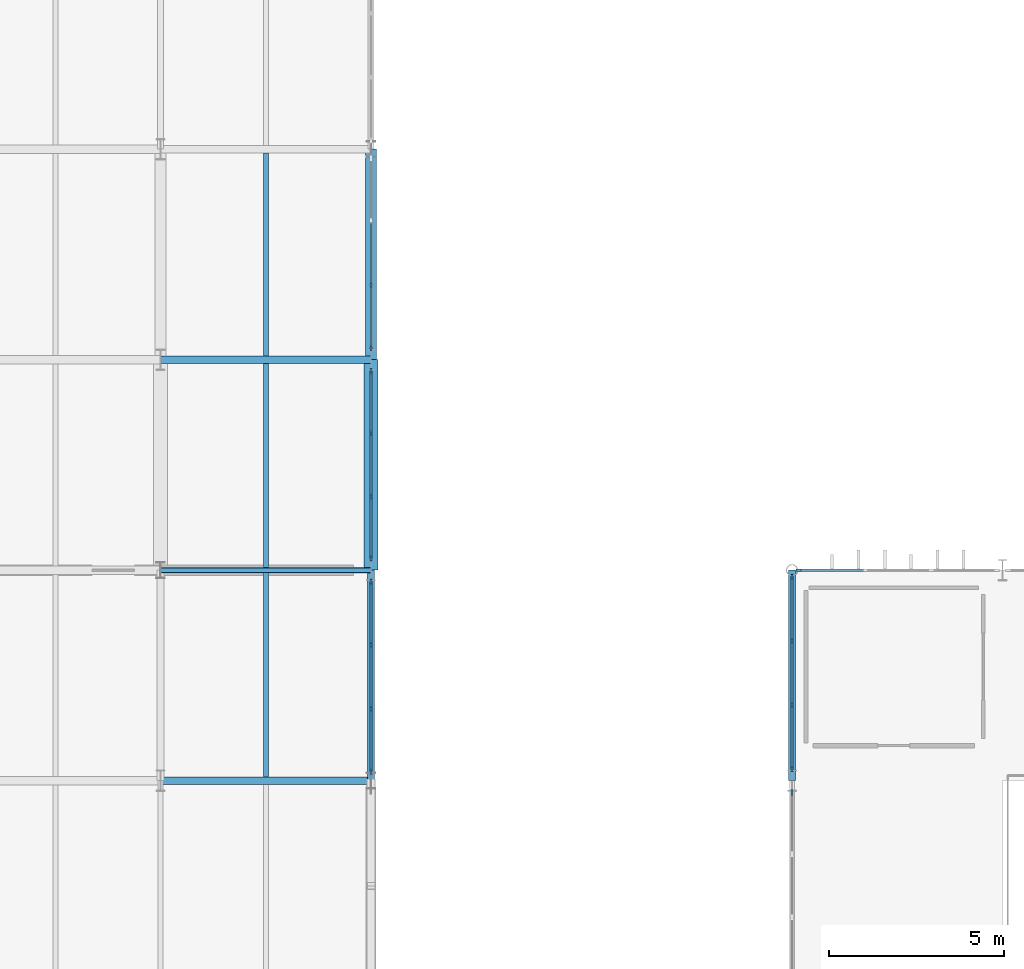
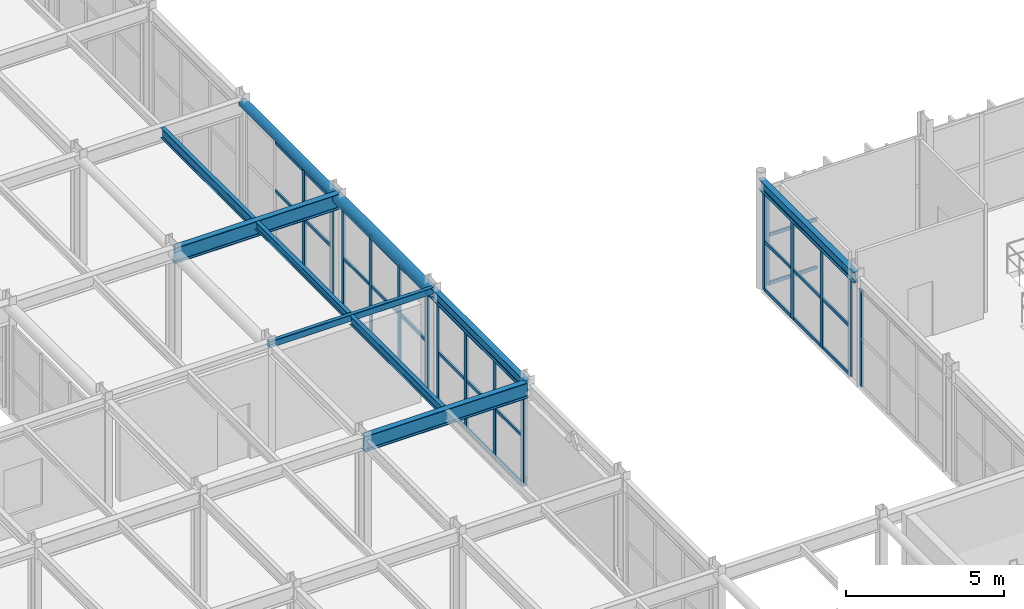
# One storey, part 32 of 96: 51 members, 10 beams, 6 elements without a shape of their own.
"""IFC4 building model written with IfcOpenShell, lengths in metres."""

from ifc_helpers import new_model, si_unit, direction, frame, origin, origin_2d, place, context, subcontext, project, spatial, rectangle, hollow_rectangle, hollow_circle, i_section, extrude, material, material_profile, profile_set, type_object, element, aggregate, save


model = new_model("IFC4")

# Units and contexts
model_context = context("Model", 3, precision=1e-05, world=origin(), true_north=direction((0.0, 1.0)))
body_context = subcontext(model_context, "Body", "Model", "MODEL_VIEW")
ifc_project = project(units=[si_unit("LENGTHUNIT", "METRE"), si_unit("AREAUNIT", "SQUARE_METRE"), si_unit("VOLUMEUNIT", "CUBIC_METRE"), si_unit("PLANEANGLEUNIT", "RADIAN"), si_unit("MASSUNIT", "GRAM", prefix="KILO")], contexts=[model_context])

# Site, building, storey
site_placement = place(None, origin())
site = spatial("IfcSite", under=ifc_project, at=site_placement, CompositionType="ELEMENT")
building_placement = place(site_placement, origin())
building = spatial("IfcBuilding", under=site, at=building_placement, Name="Varnakota Square Police Headquarters", CompositionType="ELEMENT")
storey_placement = place(building_placement, frame((0.0, 0.0, 4.800048828125)))
storey = spatial("IfcBuildingStorey", under=building, at=storey_placement, Name="L01", CompositionType="ELEMENT", Elevation=4.800048828125)

# Beams
ifc_material_1 = material(Name="Steel IS 2062 Grade 350", Category="steel")
ifc_material_profile_1 = material_profile(ifc_material_1, hollow_circle(Radius=0.161865234375, WallThickness=0.0126953125, at=origin_2d()), Name="CHS 323.9x12.7")
ifc_profile_set_1 = profile_set([ifc_material_profile_1], Name="Steel IS 2062 Grade 350")
beam_type_1 = type_object("IfcBeamType", Name="BM-ARC-CHS324", PredefinedType="BEAM", material=ifc_profile_set_1)
beam_1_placement = place(storey_placement, frame((42.0, 45.0, 4.0380859375), z_axis=(0.0, 1.0, 0.0), x_axis=(-1.0, 0.0, 0.0)))
element("IfcBeam", 1, at=beam_1_placement, inside=storey, type_object=beam_type_1, Name="BMG-L01-1620", PredefinedType="BEAM", context=body_context, shape_type="SweptSolid", body=[
    extrude(hollow_circle(Radius=0.161865234375, WallThickness=0.0126953125, at=origin_2d()), origin(), (0.0, 0.0, 1.0), 6.0),
])
ifc_material_profile_2 = material_profile(ifc_material_1, hollow_circle(Radius=0.203125, WallThickness=0.01611328125, at=origin_2d()), Name="CHS 406.4x16.0")
ifc_profile_set_2 = profile_set([ifc_material_profile_2], Name="Steel IS 2062 Grade 350")
beam_type_2 = type_object("IfcBeamType", Name="BM-ARC-CHS406", PredefinedType="BEAM", material=ifc_profile_set_2)
beam_2_placement = place(storey_placement, frame((42.0, 39.0, 3.996826171875), z_axis=(0.0, 1.0, 0.0), x_axis=(-1.0, 0.0, 0.0)))
element("IfcBeam", 2, at=beam_2_placement, inside=storey, type_object=beam_type_2, Name="BMG-L01-1619", PredefinedType="BEAM", context=body_context, shape_type="SweptSolid", body=[
    extrude(hollow_circle(Radius=0.203125, WallThickness=0.01611328125, at=origin_2d()), origin(), (0.0, 0.0, 1.0), 6.0),
])
ifc_material_profile_3 = material_profile(ifc_material_1, hollow_rectangle(XDim=0.14990234375, YDim=0.25, WallThickness=0.010009765625, InnerFilletRadius=0.010009765625, OuterFilletRadius=0.02001953125, at=origin_2d()), Name="RHS 250x150x10")
ifc_profile_set_3 = profile_set([ifc_material_profile_3], Name="Steel IS 2062 Grade 350")
beam_type_3 = type_object("IfcBeamType", Name="BM-CBEAM-RHS250", PredefinedType="BEAM", material=ifc_profile_set_3)
beam_3_placement = place(storey_placement, frame((36.0, 39.0, 4.074951171875), z_axis=(1.0, 0.0, 0.0), x_axis=(0.0, 1.0, 0.0)))
element("IfcBeam", 3, at=beam_3_placement, inside=storey, type_object=beam_type_3, Name="BMG-L01-1388", PredefinedType="BEAM", context=body_context, shape_type="SweptSolid", body=[
    extrude(hollow_rectangle(XDim=0.14990234375, YDim=0.25, WallThickness=0.010009765625, InnerFilletRadius=0.010009765625, OuterFilletRadius=0.02001953125, at=origin_2d()), origin(), (0.0, 0.0, 1.0), 6.0),
])
ifc_material_profile_4 = material_profile(ifc_material_1, i_section(OverallWidth=0.139892578125, OverallDepth=0.300048828125, WebThickness=0.0078125, FlangeThickness=0.01318359375, FilletRadius=0.013916015625, at=origin_2d()), Name="ISMB 300")
ifc_profile_set_4 = profile_set([ifc_material_profile_4], Name="Steel IS 2062 Grade 350")
beam_type_4 = type_object("IfcBeamType", Name="BM-ISMB300", PredefinedType="JOIST", material=ifc_profile_set_4)
beam_4_placement = place(storey_placement, frame((39.0, 39.072998046875, 4.050048828125), z_axis=(0.0, 1.0, 0.0), x_axis=(-1.0, 0.0, 0.0)))
element("IfcBeam", 4, at=beam_4_placement, inside=storey, type_object=beam_type_4, Name="BMG-L01-1829", PredefinedType="JOIST", context=body_context, shape_type="SweptSolid", body=[
    extrude(i_section(OverallWidth=0.139892578125, OverallDepth=0.300048828125, WebThickness=0.0078125, FlangeThickness=0.01318359375, FilletRadius=0.013916015625, at=origin_2d()), origin(), (0.0, 0.0, 1.0), 5.823974609375),
])
ifc_material_profile_5 = material_profile(ifc_material_1, i_section(OverallWidth=0.139892578125, OverallDepth=0.35009765625, WebThickness=0.008056640625, FlangeThickness=0.01416015625, FilletRadius=0.013916015625, at=origin_2d()), Name="ISMB 350")
ifc_profile_set_5 = profile_set([ifc_material_profile_5], Name="Steel IS 2062 Grade 350")
beam_type_5 = type_object("IfcBeamType", Name="BM-ISMB350", PredefinedType="JOIST", material=ifc_profile_set_5)
beam_5_placement = place(storey_placement, frame((39.0, 33.10302734375, 4.02490234375), z_axis=(0.0, 1.0, 0.0), x_axis=(-1.0, 0.0, 0.0)))
element("IfcBeam", 5, at=beam_5_placement, inside=storey, type_object=beam_type_5, Name="BMG-L01-1828", PredefinedType="JOIST", context=body_context, shape_type="SweptSolid", body=[
    extrude(i_section(OverallWidth=0.139892578125, OverallDepth=0.35009765625, WebThickness=0.008056640625, FlangeThickness=0.01416015625, FilletRadius=0.013916015625, at=origin_2d()), origin(), (0.0, 0.0, 1.0), 5.823974609375),
])
ifc_material_profile_6 = material_profile(ifc_material_1, i_section(OverallWidth=0.139892578125, OverallDepth=0.39990234375, WebThickness=0.0087890625, FlangeThickness=0.01611328125, FilletRadius=0.013916015625, at=origin_2d()), Name="ISMB 400")
ifc_profile_set_6 = profile_set([ifc_material_profile_6], Name="Steel IS 2062 Grade 350")
beam_type_6 = type_object("IfcBeamType", Name="BM-ISMB400", PredefinedType="JOIST", material=ifc_profile_set_6)
beam_6_placement = place(storey_placement, frame((39.0, 45.10302734375, 4.0), z_axis=(0.0, 1.0, 0.0), x_axis=(-1.0, 0.0, 0.0)))
element("IfcBeam", 6, at=beam_6_placement, inside=storey, type_object=beam_type_6, Name="BMG-L01-1830", PredefinedType="JOIST", context=body_context, shape_type="SweptSolid", body=[
    extrude(i_section(OverallWidth=0.139892578125, OverallDepth=0.39990234375, WebThickness=0.0087890625, FlangeThickness=0.01611328125, FilletRadius=0.013916015625, at=origin_2d()), origin(), (0.0, 0.0, 1.0), 5.7939453125),
])
ifc_material_profile_7 = material_profile(ifc_material_1, i_section(OverallWidth=0.2099609375, OverallDepth=0.60009765625, WebThickness=0.011962890625, FlangeThickness=0.020751953125, FilletRadius=0.02001953125, at=origin_2d()), Name="ISMB 600")
ifc_profile_set_7 = profile_set([ifc_material_profile_7], Name="Steel IS 2062 Grade 350")
beam_type_7 = type_object("IfcBeamType", Name="BM-ISMB600", PredefinedType="BEAM", material=ifc_profile_set_7)
for number, where, z_axis, x_axis, name in (
    (7, (36.0, 33.0, 3.89990234375), (1.0, 0.0, 0.0), (0.0, 1.0, 0.0), "BMG-L01-1379"),
    (8, (36.0, 45.0, 3.89990234375), (1.0, 0.0, 0.0), (0.0, 1.0, 0.0), "BMG-L01-1397"),
):
    element("IfcBeam", number, at=place(storey_placement, frame(where, z_axis=z_axis, x_axis=x_axis)), inside=storey, type_object=beam_type_7, Name=name, PredefinedType="BEAM", context=body_context, shape_type="SweptSolid", body=[
        extrude(i_section(OverallWidth=0.2099609375, OverallDepth=0.60009765625, WebThickness=0.011962890625, FlangeThickness=0.020751953125, FilletRadius=0.02001953125, at=origin_2d()), origin(), (0.0, 0.0, 1.0), 6.0),
    ])
ifc_material_profile_8 = material_profile(ifc_material_1, i_section(OverallWidth=0.199951171875, OverallDepth=0.39990234375, WebThickness=0.008544921875, FlangeThickness=0.012939453125, FilletRadius=0.012939453125, at=origin_2d()), Name="ISWB 400")
ifc_profile_set_8 = profile_set([ifc_material_profile_8], Name="Steel IS 2062 Grade 350")
beam_type_8 = type_object("IfcBeamType", Name="BM-ISWB400", PredefinedType="BEAM", material=ifc_profile_set_8)
for number, where, z_axis, x_axis, name in (
    (9, (42.0, 33.0, 4.0), (0.0, 1.0, 0.0), (-1.0, 0.0, 0.0), "BMG-L01-1618"),
    (10, (54.0, 33.0, 4.0), (0.0, 1.0, 0.0), (-1.0, 0.0, 0.0), "BMG-L01-1638"),
):
    element("IfcBeam", number, at=place(storey_placement, frame(where, z_axis=z_axis, x_axis=x_axis)), inside=storey, type_object=beam_type_8, Name=name, PredefinedType="BEAM", context=body_context, shape_type="SweptSolid", body=[
        extrude(i_section(OverallWidth=0.199951171875, OverallDepth=0.39990234375, WebThickness=0.008544921875, FlangeThickness=0.012939453125, FilletRadius=0.012939453125, at=origin_2d()), origin(), (0.0, 0.0, 1.0), 6.0),
    ])

# Curtain wall, member
ifc_material_2 = material(Name="Anodised Aluminium Framing", Category="aluminium")
curtain_wall_type_1 = type_object("IfcCurtainWallType", Name="CW-SYS-B", PredefinedType="NOTDEFINED", material=ifc_material_2)
curtain_wall_1_placement = place(storey_placement, origin())
curtain_wall_1 = element("IfcCurtainWall", 11, at=curtain_wall_1_placement, inside=storey, type_object=curtain_wall_type_1, Name="Unitised curtain wall CWG-L01-021", PredefinedType="NOTDEFINED")
ifc_material_3 = material(Name="Anodised Aluminium 6063-T6", Category="aluminium")
ifc_material_profile_9 = material_profile(ifc_material_3, rectangle(XDim=0.06494140625, YDim=0.159912109375, at=origin_2d()), Name="ALU MULLION 65x160")
ifc_profile_set_9 = profile_set([ifc_material_profile_9], Name="Anodised Aluminium 6063-T6")
member_type_1 = type_object("IfcMemberType", Name="CWM-150", PredefinedType="MULLION", material=ifc_profile_set_9)
member_1_placement = place(storey_placement, frame((54.199462890625, 39.0, 0.0), z_axis=(0.0, 0.0, 1.0), x_axis=(0.0, 1.0, 0.0)))
member_1 = element("IfcMember", 12, at=member_1_placement, type_object=member_type_1, Name="CWG-L01-021 mullion 1", PredefinedType="MULLION", context=body_context, shape_type="SweptSolid", body=[
    extrude(rectangle(XDim=0.06494140625, YDim=0.159912109375, at=origin_2d()), origin(), (0.0, 0.0, 1.0), 3.7900390625),
])

curtain_wall_2_placement = place(storey_placement, origin())
curtain_wall_2 = element("IfcCurtainWall", 13, at=curtain_wall_2_placement, inside=storey, type_object=curtain_wall_type_1, Name="Unitised curtain wall CWG-L01-031", PredefinedType="NOTDEFINED")
member_2_placement = place(storey_placement, frame((54.0, 32.66259765625, 0.0), z_axis=(0.0, 0.0, 1.0), x_axis=(-1.0, 0.0, 0.0)))
member_2 = element("IfcMember", 14, at=member_2_placement, type_object=member_type_1, Name="CWG-L01-031 mullion 4", PredefinedType="MULLION", context=body_context, shape_type="SweptSolid", body=[
    extrude(rectangle(XDim=0.06494140625, YDim=0.159912109375, at=origin_2d()), origin(), (0.0, 0.0, 1.0), 3.739990234375),
])
aggregate(curtain_wall_2, [member_2])

# Curtain wall, members
curtain_wall_3_placement = place(storey_placement, origin())
curtain_wall_3 = element("IfcCurtainWall", 15, at=curtain_wall_3_placement, inside=storey, type_object=curtain_wall_type_1, Name="Unitised curtain wall CWG-L01-033", PredefinedType="NOTDEFINED")
member_3_placement = place(storey_placement, frame((54.0, 33.33740234375, 0.0), z_axis=(0.0, 0.0, 1.0), x_axis=(-1.0, 0.0, 0.0)))
member_3 = element("IfcMember", 16, at=member_3_placement, type_object=member_type_1, Name="CWG-L01-033 mullion 1", PredefinedType="MULLION", context=body_context, shape_type="SweptSolid", body=[
    extrude(rectangle(XDim=0.06494140625, YDim=0.159912109375, at=origin_2d()), origin(), (0.0, 0.0, 1.0), 3.7900390625),
])
member_4_placement = place(storey_placement, frame((54.0, 35.147705078125, 0.0), z_axis=(0.0, 0.0, 1.0), x_axis=(-1.0, 0.0, 0.0)))
member_4 = element("IfcMember", 17, at=member_4_placement, type_object=member_type_1, Name="CWG-L01-033 mullion 2", PredefinedType="MULLION", context=body_context, shape_type="SweptSolid", body=[
    extrude(rectangle(XDim=0.06494140625, YDim=0.159912109375, at=origin_2d()), origin(), (0.0, 0.0, 1.0), 3.7900390625),
])
member_5_placement = place(storey_placement, frame((54.0, 36.990478515625, 0.0), z_axis=(0.0, 0.0, 1.0), x_axis=(-1.0, 0.0, 0.0)))
member_5 = element("IfcMember", 18, at=member_5_placement, type_object=member_type_1, Name="CWG-L01-033 mullion 3", PredefinedType="MULLION", context=body_context, shape_type="SweptSolid", body=[
    extrude(rectangle(XDim=0.06494140625, YDim=0.159912109375, at=origin_2d()), origin(), (0.0, 0.0, 1.0), 3.7900390625),
])
member_6_placement = place(storey_placement, frame((54.0, 38.800537109375, 0.0), z_axis=(0.0, 0.0, 1.0), x_axis=(-1.0, 0.0, 0.0)))
member_6 = element("IfcMember", 19, at=member_6_placement, type_object=member_type_1, Name="CWG-L01-033 mullion 4", PredefinedType="MULLION", context=body_context, shape_type="SweptSolid", body=[
    extrude(rectangle(XDim=0.06494140625, YDim=0.159912109375, at=origin_2d()), origin(), (0.0, 0.0, 1.0), 3.7900390625),
])

curtain_wall_type_2 = type_object("IfcCurtainWallType", Name="CW-SYS-D", PredefinedType="NOTDEFINED", material=ifc_material_2)
curtain_wall_4_placement = place(storey_placement, origin())
curtain_wall_4 = element("IfcCurtainWall", 20, at=curtain_wall_4_placement, inside=storey, type_object=curtain_wall_type_2, Name="Unitised curtain wall CWG-L01-141", PredefinedType="NOTDEFINED")
member_7_placement = place(storey_placement, frame((42.0, 33.262451171875, 0.0), z_axis=(0.0, 0.0, 1.0), x_axis=(-1.0, 0.0, 0.0)))
member_7 = element("IfcMember", 21, at=member_7_placement, type_object=member_type_1, Name="CWG-L01-141 mullion 1", PredefinedType="MULLION", context=body_context, shape_type="SweptSolid", body=[
    extrude(rectangle(XDim=0.06494140625, YDim=0.159912109375, at=origin_2d()), origin(), (0.0, 0.0, 1.0), 3.783447265625),
])
member_8_placement = place(storey_placement, frame((42.0, 35.0517578125, 0.0), z_axis=(0.0, 0.0, 1.0), x_axis=(-1.0, 0.0, 0.0)))
member_8 = element("IfcMember", 22, at=member_8_placement, type_object=member_type_1, Name="CWG-L01-141 mullion 2", PredefinedType="MULLION", context=body_context, shape_type="SweptSolid", body=[
    extrude(rectangle(XDim=0.06494140625, YDim=0.159912109375, at=origin_2d()), origin(), (0.0, 0.0, 1.0), 3.783447265625),
])
member_9_placement = place(storey_placement, frame((42.0, 36.873291015625, 0.0), z_axis=(0.0, 0.0, 1.0), x_axis=(-1.0, 0.0, 0.0)))
member_9 = element("IfcMember", 23, at=member_9_placement, type_object=member_type_1, Name="CWG-L01-141 mullion 3", PredefinedType="MULLION", context=body_context, shape_type="SweptSolid", body=[
    extrude(rectangle(XDim=0.06494140625, YDim=0.159912109375, at=origin_2d()), origin(), (0.0, 0.0, 1.0), 3.783447265625),
])
member_10_placement = place(storey_placement, frame((42.0, 38.66259765625, 0.0), z_axis=(0.0, 0.0, 1.0), x_axis=(-1.0, 0.0, 0.0)))
member_10 = element("IfcMember", 24, at=member_10_placement, type_object=member_type_1, Name="CWG-L01-141 mullion 4", PredefinedType="MULLION", context=body_context, shape_type="SweptSolid", body=[
    extrude(rectangle(XDim=0.06494140625, YDim=0.159912109375, at=origin_2d()), origin(), (0.0, 0.0, 1.0), 3.783447265625),
])

curtain_wall_5_placement = place(storey_placement, origin())
curtain_wall_5 = element("IfcCurtainWall", 25, at=curtain_wall_5_placement, inside=storey, type_object=curtain_wall_type_2, Name="Unitised curtain wall CWG-L01-142", PredefinedType="NOTDEFINED")
member_11_placement = place(storey_placement, frame((42.0, 39.33740234375, 0.0), z_axis=(0.0, 0.0, 1.0), x_axis=(-1.0, 0.0, 0.0)))
member_11 = element("IfcMember", 26, at=member_11_placement, type_object=member_type_1, Name="CWG-L01-142 mullion 1", PredefinedType="MULLION", context=body_context, shape_type="SweptSolid", body=[
    extrude(rectangle(XDim=0.06494140625, YDim=0.159912109375, at=origin_2d()), origin(), (0.0, 0.0, 1.0), 3.783447265625),
])
member_12_placement = place(storey_placement, frame((42.0, 41.1015625, 0.0), z_axis=(0.0, 0.0, 1.0), x_axis=(-1.0, 0.0, 0.0)))
member_12 = element("IfcMember", 27, at=member_12_placement, type_object=member_type_1, Name="CWG-L01-142 mullion 2", PredefinedType="MULLION", context=body_context, shape_type="SweptSolid", body=[
    extrude(rectangle(XDim=0.06494140625, YDim=0.159912109375, at=origin_2d()), origin(), (0.0, 0.0, 1.0), 3.783447265625),
])
member_13_placement = place(storey_placement, frame((42.0, 42.8984375, 0.0), z_axis=(0.0, 0.0, 1.0), x_axis=(-1.0, 0.0, 0.0)))
member_13 = element("IfcMember", 28, at=member_13_placement, type_object=member_type_1, Name="CWG-L01-142 mullion 3", PredefinedType="MULLION", context=body_context, shape_type="SweptSolid", body=[
    extrude(rectangle(XDim=0.06494140625, YDim=0.159912109375, at=origin_2d()), origin(), (0.0, 0.0, 1.0), 3.783447265625),
])
member_14_placement = place(storey_placement, frame((42.0, 44.66259765625, 0.0), z_axis=(0.0, 0.0, 1.0), x_axis=(-1.0, 0.0, 0.0)))
member_14 = element("IfcMember", 29, at=member_14_placement, type_object=member_type_1, Name="CWG-L01-142 mullion 4", PredefinedType="MULLION", context=body_context, shape_type="SweptSolid", body=[
    extrude(rectangle(XDim=0.06494140625, YDim=0.159912109375, at=origin_2d()), origin(), (0.0, 0.0, 1.0), 3.783447265625),
])

curtain_wall_6_placement = place(storey_placement, origin())
curtain_wall_6 = element("IfcCurtainWall", 30, at=curtain_wall_6_placement, inside=storey, type_object=curtain_wall_type_2, Name="Unitised curtain wall CWG-L01-143", PredefinedType="NOTDEFINED")
member_15_placement = place(storey_placement, frame((42.0, 45.33740234375, 0.0), z_axis=(0.0, 0.0, 1.0), x_axis=(-1.0, 0.0, 0.0)))
member_15 = element("IfcMember", 31, at=member_15_placement, type_object=member_type_1, Name="CWG-L01-143 mullion 1", PredefinedType="MULLION", context=body_context, shape_type="SweptSolid", body=[
    extrude(rectangle(XDim=0.06494140625, YDim=0.159912109375, at=origin_2d()), origin(), (0.0, 0.0, 1.0), 3.783447265625),
])
member_16_placement = place(storey_placement, frame((42.0, 47.126708984375, 0.0), z_axis=(0.0, 0.0, 1.0), x_axis=(-1.0, 0.0, 0.0)))
member_16 = element("IfcMember", 32, at=member_16_placement, type_object=member_type_1, Name="CWG-L01-143 mullion 2", PredefinedType="MULLION", context=body_context, shape_type="SweptSolid", body=[
    extrude(rectangle(XDim=0.06494140625, YDim=0.159912109375, at=origin_2d()), origin(), (0.0, 0.0, 1.0), 3.783447265625),
])

# Member
ifc_material_profile_10 = material_profile(ifc_material_3, rectangle(XDim=0.06494140625, YDim=0.1298828125, at=origin_2d()), Name="ALU TRANSOM 65x130")
ifc_profile_set_10 = profile_set([ifc_material_profile_10], Name="Anodised Aluminium 6063-T6")
member_type_2 = type_object("IfcMemberType", Name="CWT-120", PredefinedType="USERDEFINED", material=ifc_profile_set_10)
member_17_placement = place(storey_placement, frame((54.23193359375, 39.0, 0.032470703125), z_axis=(1.0, 0.0, 0.0), x_axis=(0.0, 1.0, 0.0)))
member_17 = element("IfcMember", 33, at=member_17_placement, type_object=member_type_2, Name="CWG-L01-021 transom 1.1", ObjectType="TRANSOM", PredefinedType="USERDEFINED", context=body_context, shape_type="SweptSolid", body=[
    extrude(rectangle(XDim=0.06494140625, YDim=0.1298828125, at=origin_2d()), origin(), (0.0, 0.0, 1.0), 1.803466796875),
])

member_18_placement = place(storey_placement, frame((54.23193359375, 39.0, 1.89501953125), z_axis=(1.0, 0.0, 0.0), x_axis=(0.0, 1.0, 0.0)))
member_18 = element("IfcMember", 34, at=member_18_placement, type_object=member_type_2, Name="CWG-L01-021 transom 1.2", ObjectType="TRANSOM", PredefinedType="USERDEFINED", context=body_context, shape_type="SweptSolid", body=[
    extrude(rectangle(XDim=0.06494140625, YDim=0.1298828125, at=origin_2d()), origin(), (0.0, 0.0, 1.0), 1.803466796875),
])

aggregate(curtain_wall_1, [member_1, member_17, member_18])

member_19_placement = place(storey_placement, frame((54.0, 33.3701171875, 0.032470703125), z_axis=(0.0, 1.0, 0.0), x_axis=(-1.0, 0.0, 0.0)))
member_19 = element("IfcMember", 35, at=member_19_placement, type_object=member_type_2, Name="CWG-L01-033 transom 1.1", ObjectType="TRANSOM", PredefinedType="USERDEFINED", context=body_context, shape_type="SweptSolid", body=[
    extrude(rectangle(XDim=0.06494140625, YDim=0.1298828125, at=origin_2d()), origin(), (0.0, 0.0, 1.0), 1.7451171875),
])

member_20_placement = place(storey_placement, frame((54.0, 33.3701171875, 1.89501953125), z_axis=(0.0, 1.0, 0.0), x_axis=(-1.0, 0.0, 0.0)))
member_20 = element("IfcMember", 36, at=member_20_placement, type_object=member_type_2, Name="CWG-L01-033 transom 1.2", ObjectType="TRANSOM", PredefinedType="USERDEFINED", context=body_context, shape_type="SweptSolid", body=[
    extrude(rectangle(XDim=0.06494140625, YDim=0.1298828125, at=origin_2d()), origin(), (0.0, 0.0, 1.0), 1.7451171875),
])

member_21_placement = place(storey_placement, frame((54.0, 33.3701171875, 3.757568359375), z_axis=(0.0, 1.0, 0.0), x_axis=(-1.0, 0.0, 0.0)))
member_21 = element("IfcMember", 37, at=member_21_placement, type_object=member_type_2, Name="CWG-L01-033 transom 1.3", ObjectType="TRANSOM", PredefinedType="USERDEFINED", context=body_context, shape_type="SweptSolid", body=[
    extrude(rectangle(XDim=0.06494140625, YDim=0.1298828125, at=origin_2d()), origin(), (0.0, 0.0, 1.0), 1.7451171875),
])

member_22_placement = place(storey_placement, frame((54.0, 35.18017578125, 0.032470703125), z_axis=(0.0, 1.0, 0.0), x_axis=(-1.0, 0.0, 0.0)))
member_22 = element("IfcMember", 38, at=member_22_placement, type_object=member_type_2, Name="CWG-L01-033 transom 2.1", ObjectType="TRANSOM", PredefinedType="USERDEFINED", context=body_context, shape_type="SweptSolid", body=[
    extrude(rectangle(XDim=0.06494140625, YDim=0.1298828125, at=origin_2d()), origin(), (0.0, 0.0, 1.0), 1.77783203125),
])

member_23_placement = place(storey_placement, frame((54.0, 35.18017578125, 1.89501953125), z_axis=(0.0, 1.0, 0.0), x_axis=(-1.0, 0.0, 0.0)))
member_23 = element("IfcMember", 39, at=member_23_placement, type_object=member_type_2, Name="CWG-L01-033 transom 2.2", ObjectType="TRANSOM", PredefinedType="USERDEFINED", context=body_context, shape_type="SweptSolid", body=[
    extrude(rectangle(XDim=0.06494140625, YDim=0.1298828125, at=origin_2d()), origin(), (0.0, 0.0, 1.0), 1.77783203125),
])

member_24_placement = place(storey_placement, frame((54.0, 35.18017578125, 3.757568359375), z_axis=(0.0, 1.0, 0.0), x_axis=(-1.0, 0.0, 0.0)))
member_24 = element("IfcMember", 40, at=member_24_placement, type_object=member_type_2, Name="CWG-L01-033 transom 2.3", ObjectType="TRANSOM", PredefinedType="USERDEFINED", context=body_context, shape_type="SweptSolid", body=[
    extrude(rectangle(XDim=0.06494140625, YDim=0.1298828125, at=origin_2d()), origin(), (0.0, 0.0, 1.0), 1.77783203125),
])

member_25_placement = place(storey_placement, frame((54.0, 37.02294921875, 0.032470703125), z_axis=(0.0, 1.0, 0.0), x_axis=(-1.0, 0.0, 0.0)))
member_25 = element("IfcMember", 41, at=member_25_placement, type_object=member_type_2, Name="CWG-L01-033 transom 3.1", ObjectType="TRANSOM", PredefinedType="USERDEFINED", context=body_context, shape_type="SweptSolid", body=[
    extrude(rectangle(XDim=0.06494140625, YDim=0.1298828125, at=origin_2d()), origin(), (0.0, 0.0, 1.0), 1.7451171875),
])

member_26_placement = place(storey_placement, frame((54.0, 37.02294921875, 1.89501953125), z_axis=(0.0, 1.0, 0.0), x_axis=(-1.0, 0.0, 0.0)))
member_26 = element("IfcMember", 42, at=member_26_placement, type_object=member_type_2, Name="CWG-L01-033 transom 3.2", ObjectType="TRANSOM", PredefinedType="USERDEFINED", context=body_context, shape_type="SweptSolid", body=[
    extrude(rectangle(XDim=0.06494140625, YDim=0.1298828125, at=origin_2d()), origin(), (0.0, 0.0, 1.0), 1.7451171875),
])

member_27_placement = place(storey_placement, frame((54.0, 37.02294921875, 3.757568359375), z_axis=(0.0, 1.0, 0.0), x_axis=(-1.0, 0.0, 0.0)))
member_27 = element("IfcMember", 43, at=member_27_placement, type_object=member_type_2, Name="CWG-L01-033 transom 3.3", ObjectType="TRANSOM", PredefinedType="USERDEFINED", context=body_context, shape_type="SweptSolid", body=[
    extrude(rectangle(XDim=0.06494140625, YDim=0.1298828125, at=origin_2d()), origin(), (0.0, 0.0, 1.0), 1.7451171875),
])

aggregate(curtain_wall_3, [member_3, member_4, member_5, member_6, member_19, member_20, member_21, member_22, member_23, member_24, member_25, member_26, member_27])

member_28_placement = place(storey_placement, frame((42.0, 33.294921875, 0.032470703125), z_axis=(0.0, 1.0, 0.0), x_axis=(-1.0, 0.0, 0.0)))
member_28 = element("IfcMember", 44, at=member_28_placement, type_object=member_type_2, Name="CWG-L01-141 transom 1.1", ObjectType="TRANSOM", PredefinedType="USERDEFINED", context=body_context, shape_type="SweptSolid", body=[
    extrude(rectangle(XDim=0.06494140625, YDim=0.1298828125, at=origin_2d()), origin(), (0.0, 0.0, 1.0), 1.724365234375),
])

member_29_placement = place(storey_placement, frame((42.0, 33.294921875, 1.891845703125), z_axis=(0.0, 1.0, 0.0), x_axis=(-1.0, 0.0, 0.0)))
member_29 = element("IfcMember", 45, at=member_29_placement, type_object=member_type_2, Name="CWG-L01-141 transom 1.2", ObjectType="TRANSOM", PredefinedType="USERDEFINED", context=body_context, shape_type="SweptSolid", body=[
    extrude(rectangle(XDim=0.06494140625, YDim=0.1298828125, at=origin_2d()), origin(), (0.0, 0.0, 1.0), 1.724365234375),
])

member_30_placement = place(storey_placement, frame((42.0, 33.294921875, 3.7509765625), z_axis=(0.0, 1.0, 0.0), x_axis=(-1.0, 0.0, 0.0)))
member_30 = element("IfcMember", 46, at=member_30_placement, type_object=member_type_2, Name="CWG-L01-141 transom 1.3", ObjectType="TRANSOM", PredefinedType="USERDEFINED", context=body_context, shape_type="SweptSolid", body=[
    extrude(rectangle(XDim=0.06494140625, YDim=0.1298828125, at=origin_2d()), origin(), (0.0, 0.0, 1.0), 1.724365234375),
])

member_31_placement = place(storey_placement, frame((42.0, 35.084228515625, 0.032470703125), z_axis=(0.0, 1.0, 0.0), x_axis=(-1.0, 0.0, 0.0)))
member_31 = element("IfcMember", 47, at=member_31_placement, type_object=member_type_2, Name="CWG-L01-141 transom 2.1", ObjectType="TRANSOM", PredefinedType="USERDEFINED", context=body_context, shape_type="SweptSolid", body=[
    extrude(rectangle(XDim=0.06494140625, YDim=0.1298828125, at=origin_2d()), origin(), (0.0, 0.0, 1.0), 1.756591796875),
])

member_32_placement = place(storey_placement, frame((42.0, 35.084228515625, 1.891845703125), z_axis=(0.0, 1.0, 0.0), x_axis=(-1.0, 0.0, 0.0)))
member_32 = element("IfcMember", 48, at=member_32_placement, type_object=member_type_2, Name="CWG-L01-141 transom 2.2", ObjectType="TRANSOM", PredefinedType="USERDEFINED", context=body_context, shape_type="SweptSolid", body=[
    extrude(rectangle(XDim=0.06494140625, YDim=0.1298828125, at=origin_2d()), origin(), (0.0, 0.0, 1.0), 1.756591796875),
])

member_33_placement = place(storey_placement, frame((42.0, 35.084228515625, 3.7509765625), z_axis=(0.0, 1.0, 0.0), x_axis=(-1.0, 0.0, 0.0)))
member_33 = element("IfcMember", 49, at=member_33_placement, type_object=member_type_2, Name="CWG-L01-141 transom 2.3", ObjectType="TRANSOM", PredefinedType="USERDEFINED", context=body_context, shape_type="SweptSolid", body=[
    extrude(rectangle(XDim=0.06494140625, YDim=0.1298828125, at=origin_2d()), origin(), (0.0, 0.0, 1.0), 1.756591796875),
])

member_34_placement = place(storey_placement, frame((42.0, 36.90576171875, 0.032470703125), z_axis=(0.0, 1.0, 0.0), x_axis=(-1.0, 0.0, 0.0)))
member_34 = element("IfcMember", 50, at=member_34_placement, type_object=member_type_2, Name="CWG-L01-141 transom 3.1", ObjectType="TRANSOM", PredefinedType="USERDEFINED", context=body_context, shape_type="SweptSolid", body=[
    extrude(rectangle(XDim=0.06494140625, YDim=0.1298828125, at=origin_2d()), origin(), (0.0, 0.0, 1.0), 1.72412109375),
])

member_35_placement = place(storey_placement, frame((42.0, 36.90576171875, 1.891845703125), z_axis=(0.0, 1.0, 0.0), x_axis=(-1.0, 0.0, 0.0)))
member_35 = element("IfcMember", 51, at=member_35_placement, type_object=member_type_2, Name="CWG-L01-141 transom 3.2", ObjectType="TRANSOM", PredefinedType="USERDEFINED", context=body_context, shape_type="SweptSolid", body=[
    extrude(rectangle(XDim=0.06494140625, YDim=0.1298828125, at=origin_2d()), origin(), (0.0, 0.0, 1.0), 1.72412109375),
])

member_36_placement = place(storey_placement, frame((42.0, 36.90576171875, 3.7509765625), z_axis=(0.0, 1.0, 0.0), x_axis=(-1.0, 0.0, 0.0)))
member_36 = element("IfcMember", 52, at=member_36_placement, type_object=member_type_2, Name="CWG-L01-141 transom 3.3", ObjectType="TRANSOM", PredefinedType="USERDEFINED", context=body_context, shape_type="SweptSolid", body=[
    extrude(rectangle(XDim=0.06494140625, YDim=0.1298828125, at=origin_2d()), origin(), (0.0, 0.0, 1.0), 1.72412109375),
])

aggregate(curtain_wall_4, [member_7, member_8, member_9, member_10, member_28, member_29, member_30, member_31, member_32, member_33, member_34, member_35, member_36])

member_37_placement = place(storey_placement, frame((42.0, 39.3701171875, 0.032470703125), z_axis=(0.0, 1.0, 0.0), x_axis=(-1.0, 0.0, 0.0)))
member_37 = element("IfcMember", 53, at=member_37_placement, type_object=member_type_2, Name="CWG-L01-142 transom 1.1", ObjectType="TRANSOM", PredefinedType="USERDEFINED", context=body_context, shape_type="SweptSolid", body=[
    extrude(rectangle(XDim=0.06494140625, YDim=0.1298828125, at=origin_2d()), origin(), (0.0, 0.0, 1.0), 1.698974609375),
])

member_38_placement = place(storey_placement, frame((42.0, 39.3701171875, 1.891845703125), z_axis=(0.0, 1.0, 0.0), x_axis=(-1.0, 0.0, 0.0)))
member_38 = element("IfcMember", 54, at=member_38_placement, type_object=member_type_2, Name="CWG-L01-142 transom 1.2", ObjectType="TRANSOM", PredefinedType="USERDEFINED", context=body_context, shape_type="SweptSolid", body=[
    extrude(rectangle(XDim=0.06494140625, YDim=0.1298828125, at=origin_2d()), origin(), (0.0, 0.0, 1.0), 1.698974609375),
])

member_39_placement = place(storey_placement, frame((42.0, 39.3701171875, 3.7509765625), z_axis=(0.0, 1.0, 0.0), x_axis=(-1.0, 0.0, 0.0)))
member_39 = element("IfcMember", 55, at=member_39_placement, type_object=member_type_2, Name="CWG-L01-142 transom 1.3", ObjectType="TRANSOM", PredefinedType="USERDEFINED", context=body_context, shape_type="SweptSolid", body=[
    extrude(rectangle(XDim=0.06494140625, YDim=0.1298828125, at=origin_2d()), origin(), (0.0, 0.0, 1.0), 1.698974609375),
])

member_40_placement = place(storey_placement, frame((42.0, 41.13427734375, 0.032470703125), z_axis=(0.0, 1.0, 0.0), x_axis=(-1.0, 0.0, 0.0)))
member_40 = element("IfcMember", 56, at=member_40_placement, type_object=member_type_2, Name="CWG-L01-142 transom 2.1", ObjectType="TRANSOM", PredefinedType="USERDEFINED", context=body_context, shape_type="SweptSolid", body=[
    extrude(rectangle(XDim=0.06494140625, YDim=0.1298828125, at=origin_2d()), origin(), (0.0, 0.0, 1.0), 1.7314453125),
])

member_41_placement = place(storey_placement, frame((42.0, 41.13427734375, 1.891845703125), z_axis=(0.0, 1.0, 0.0), x_axis=(-1.0, 0.0, 0.0)))
member_41 = element("IfcMember", 57, at=member_41_placement, type_object=member_type_2, Name="CWG-L01-142 transom 2.2", ObjectType="TRANSOM", PredefinedType="USERDEFINED", context=body_context, shape_type="SweptSolid", body=[
    extrude(rectangle(XDim=0.06494140625, YDim=0.1298828125, at=origin_2d()), origin(), (0.0, 0.0, 1.0), 1.7314453125),
])

member_42_placement = place(storey_placement, frame((42.0, 41.13427734375, 3.7509765625), z_axis=(0.0, 1.0, 0.0), x_axis=(-1.0, 0.0, 0.0)))
member_42 = element("IfcMember", 58, at=member_42_placement, type_object=member_type_2, Name="CWG-L01-142 transom 2.3", ObjectType="TRANSOM", PredefinedType="USERDEFINED", context=body_context, shape_type="SweptSolid", body=[
    extrude(rectangle(XDim=0.06494140625, YDim=0.1298828125, at=origin_2d()), origin(), (0.0, 0.0, 1.0), 1.7314453125),
])

member_43_placement = place(storey_placement, frame((42.0, 42.930908203125, 0.032470703125), z_axis=(0.0, 1.0, 0.0), x_axis=(-1.0, 0.0, 0.0)))
member_43 = element("IfcMember", 59, at=member_43_placement, type_object=member_type_2, Name="CWG-L01-142 transom 3.1", ObjectType="TRANSOM", PredefinedType="USERDEFINED", context=body_context, shape_type="SweptSolid", body=[
    extrude(rectangle(XDim=0.06494140625, YDim=0.1298828125, at=origin_2d()), origin(), (0.0, 0.0, 1.0), 1.698974609375),
])

member_44_placement = place(storey_placement, frame((42.0, 42.930908203125, 1.891845703125), z_axis=(0.0, 1.0, 0.0), x_axis=(-1.0, 0.0, 0.0)))
member_44 = element("IfcMember", 60, at=member_44_placement, type_object=member_type_2, Name="CWG-L01-142 transom 3.2", ObjectType="TRANSOM", PredefinedType="USERDEFINED", context=body_context, shape_type="SweptSolid", body=[
    extrude(rectangle(XDim=0.06494140625, YDim=0.1298828125, at=origin_2d()), origin(), (0.0, 0.0, 1.0), 1.698974609375),
])

member_45_placement = place(storey_placement, frame((42.0, 42.930908203125, 3.7509765625), z_axis=(0.0, 1.0, 0.0), x_axis=(-1.0, 0.0, 0.0)))
member_45 = element("IfcMember", 61, at=member_45_placement, type_object=member_type_2, Name="CWG-L01-142 transom 3.3", ObjectType="TRANSOM", PredefinedType="USERDEFINED", context=body_context, shape_type="SweptSolid", body=[
    extrude(rectangle(XDim=0.06494140625, YDim=0.1298828125, at=origin_2d()), origin(), (0.0, 0.0, 1.0), 1.698974609375),
])

aggregate(curtain_wall_5, [member_11, member_12, member_13, member_14, member_37, member_38, member_39, member_40, member_41, member_42, member_43, member_44, member_45])

member_46_placement = place(storey_placement, frame((42.0, 45.3701171875, 0.032470703125), z_axis=(0.0, 1.0, 0.0), x_axis=(-1.0, 0.0, 0.0)))
member_46 = element("IfcMember", 62, at=member_46_placement, type_object=member_type_2, Name="CWG-L01-143 transom 1.1", ObjectType="TRANSOM", PredefinedType="USERDEFINED", context=body_context, shape_type="SweptSolid", body=[
    extrude(rectangle(XDim=0.06494140625, YDim=0.1298828125, at=origin_2d()), origin(), (0.0, 0.0, 1.0), 1.72412109375),
])

member_47_placement = place(storey_placement, frame((42.0, 45.3701171875, 1.891845703125), z_axis=(0.0, 1.0, 0.0), x_axis=(-1.0, 0.0, 0.0)))
member_47 = element("IfcMember", 63, at=member_47_placement, type_object=member_type_2, Name="CWG-L01-143 transom 1.2", ObjectType="TRANSOM", PredefinedType="USERDEFINED", context=body_context, shape_type="SweptSolid", body=[
    extrude(rectangle(XDim=0.06494140625, YDim=0.1298828125, at=origin_2d()), origin(), (0.0, 0.0, 1.0), 1.72412109375),
])

member_48_placement = place(storey_placement, frame((42.0, 45.3701171875, 3.7509765625), z_axis=(0.0, 1.0, 0.0), x_axis=(-1.0, 0.0, 0.0)))
member_48 = element("IfcMember", 64, at=member_48_placement, type_object=member_type_2, Name="CWG-L01-143 transom 1.3", ObjectType="TRANSOM", PredefinedType="USERDEFINED", context=body_context, shape_type="SweptSolid", body=[
    extrude(rectangle(XDim=0.06494140625, YDim=0.1298828125, at=origin_2d()), origin(), (0.0, 0.0, 1.0), 1.72412109375),
])

member_49_placement = place(storey_placement, frame((42.0, 47.1591796875, 0.032470703125), z_axis=(0.0, 1.0, 0.0), x_axis=(-1.0, 0.0, 0.0)))
member_49 = element("IfcMember", 65, at=member_49_placement, type_object=member_type_2, Name="CWG-L01-143 transom 2.1", ObjectType="TRANSOM", PredefinedType="USERDEFINED", context=body_context, shape_type="SweptSolid", body=[
    extrude(rectangle(XDim=0.06494140625, YDim=0.1298828125, at=origin_2d()), origin(), (0.0, 0.0, 1.0), 1.756591796875),
])

member_50_placement = place(storey_placement, frame((42.0, 47.1591796875, 1.891845703125), z_axis=(0.0, 1.0, 0.0), x_axis=(-1.0, 0.0, 0.0)))
member_50 = element("IfcMember", 66, at=member_50_placement, type_object=member_type_2, Name="CWG-L01-143 transom 2.2", ObjectType="TRANSOM", PredefinedType="USERDEFINED", context=body_context, shape_type="SweptSolid", body=[
    extrude(rectangle(XDim=0.06494140625, YDim=0.1298828125, at=origin_2d()), origin(), (0.0, 0.0, 1.0), 1.756591796875),
])

member_51_placement = place(storey_placement, frame((42.0, 47.1591796875, 3.7509765625), z_axis=(0.0, 1.0, 0.0), x_axis=(-1.0, 0.0, 0.0)))
member_51 = element("IfcMember", 67, at=member_51_placement, type_object=member_type_2, Name="CWG-L01-143 transom 2.3", ObjectType="TRANSOM", PredefinedType="USERDEFINED", context=body_context, shape_type="SweptSolid", body=[
    extrude(rectangle(XDim=0.06494140625, YDim=0.1298828125, at=origin_2d()), origin(), (0.0, 0.0, 1.0), 1.756591796875),
])

aggregate(curtain_wall_6, [member_15, member_16, member_46, member_47, member_48, member_49, member_50, member_51])

save(model, "model.ifc")
